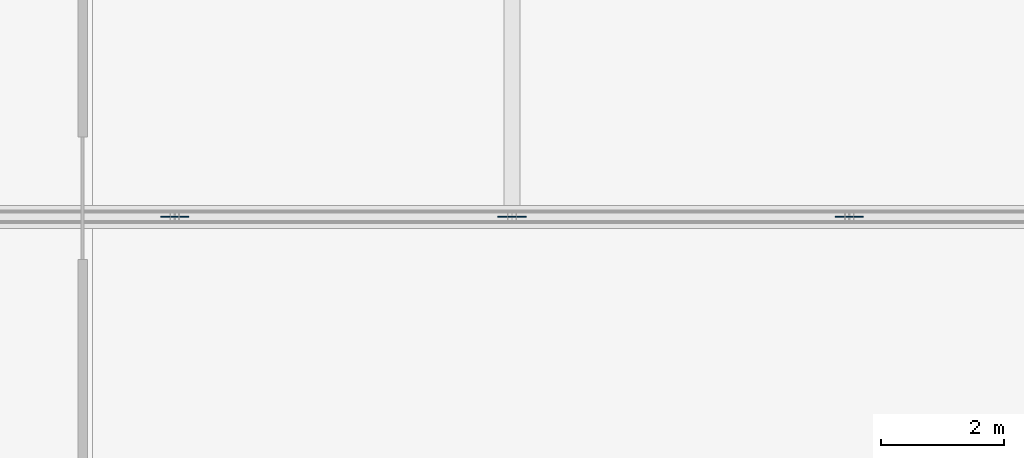
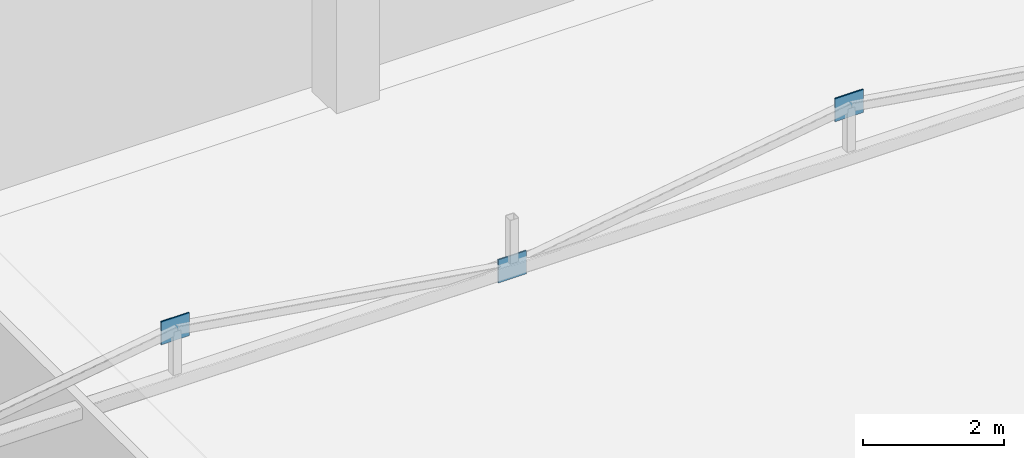
# One storey, part 42 of 72: 3 plates.
"""IFC4 building model written with IfcOpenShell, lengths in metres."""

import ifcopenshell
import ifcopenshell.guid

model = None  # the IFC model being written
_history = None  # IfcOwnerHistory: only IFC2X3 demands one
_inside = {}  # id of a spatial element -> (the spatial element, [elements in it])
_under = {}  # id of a project, library or spatial element -> (it, [spatial elements below it])
_declared = {}  # id of a project -> (the project, [libraries it declares])
_typed = {}  # id of a type object -> (the type object, [elements of that type])
_made_of = {}  # id of a material, layer set ... -> (it, [elements and type objects made of it])


def new_model(schema):
    """Start an empty IFC model of exactly this schema.

    Asked for "IFC4X3", IfcOpenShell would pick the latest addendum, in which some entities
    have other attributes; the version numbers below select the first issue.
    IFC2X3 requires an IfcOwnerHistory on every rooted entity: one is made here for all.
    """
    global model, _history
    if schema == "IFC4X3":
        model = ifcopenshell.file(schema_version=(4, 3, 0, 0))
    else:
        model = ifcopenshell.file(schema=schema)
    _inside.clear()
    _under.clear()
    _declared.clear()
    _typed.clear()
    _made_of.clear()
    _history = None
    if model.schema == "IFC2X3":
        org = make("IfcOrganization", Name="unknown")
        user = make(
            "IfcPersonAndOrganization",
            ThePerson=make("IfcPerson", FamilyName="unknown"),
            TheOrganization=org,
        )
        app = make(
            "IfcApplication",
            ApplicationDeveloper=org,
            Version="unknown",
            ApplicationFullName="unknown",
            ApplicationIdentifier="unknown",
        )
        _history = make(
            "IfcOwnerHistory",
            OwningUser=user,
            OwningApplication=app,
            ChangeAction="ADDED",
            CreationDate=0,
        )
    return model


def make(cls, **values):
    """One entity of the class cls with the attributes given. An attribute that is None is left unset."""
    return model.create_entity(
        cls, **{name: value for name, value in values.items() if value is not None}
    )


def rooted(cls, **values):
    """An entity with a GlobalId (a new one), such as an element, a storey or a relation."""
    return make(cls, GlobalId=ifcopenshell.guid.new(), OwnerHistory=_history, **values)


def si_unit(unit_type, name, prefix=None):
    """IfcSIUnit, for example si_unit("LENGTHUNIT", "METRE", prefix="MILLI")."""
    return make("IfcSIUnit", UnitType=unit_type, Prefix=prefix, Name=name)


def assignment(units):
    """IfcUnitAssignment: the units of a project."""
    return None if units is None else make("IfcUnitAssignment", Units=units)


def point(xyz):
    """IfcCartesianPoint."""
    return None if xyz is None else make("IfcCartesianPoint", Coordinates=xyz)


def direction(xyz):
    """IfcDirection."""
    return None if xyz is None else make("IfcDirection", DirectionRatios=xyz)


def frame(location, z_axis=None, x_axis=None):
    """IfcAxis2Placement3D, a coordinate frame: its origin and axes. An axis left out is left unset."""
    return make(
        "IfcAxis2Placement3D",
        Location=point(location),
        Axis=direction(z_axis),
        RefDirection=direction(x_axis),
    )


def frame_2d(location, x_axis=None):
    """IfcAxis2Placement2D, a coordinate frame in the plane: its origin and x axis."""
    return make(
        "IfcAxis2Placement2D", Location=point(location), RefDirection=direction(x_axis)
    )


def origin():
    """The frame at (0, 0, 0) with its axes left unset."""
    return frame((0.0, 0.0, 0.0))


def origin_2d():
    """The frame at (0, 0) in the plane with its x axis left unset."""
    return frame_2d((0.0, 0.0))


def place(relative_to, where):
    """IfcLocalPlacement: puts the frame where relative to a parent placement (None: the world)."""
    return make(
        "IfcLocalPlacement", PlacementRelTo=relative_to, RelativePlacement=where
    )


def context(
    kind, dimensions, precision=None, world=None, true_north=None, identifier=None
):
    """IfcGeometricRepresentationContext, for example the 3D "Model" context."""
    return make(
        "IfcGeometricRepresentationContext",
        ContextIdentifier=identifier,
        ContextType=kind,
        CoordinateSpaceDimension=dimensions,
        Precision=precision,
        WorldCoordinateSystem=world,
        TrueNorth=true_north,
    )


def subcontext(parent, identifier, kind, view, scale=None):
    """IfcGeometricRepresentationSubContext, for example "Body" below "Model"."""
    return make(
        "IfcGeometricRepresentationSubContext",
        ContextIdentifier=identifier,
        ContextType=kind,
        ParentContext=parent,
        TargetScale=scale,
        TargetView=view,
    )


def project(units=None, contexts=None):
    """IfcProject with its units and contexts."""
    return rooted(
        "IfcProject",
        Name="project",
        RepresentationContexts=contexts,
        UnitsInContext=assignment(units),
    )


def spatial(cls, under=None, at=None, **own):
    """A site, building, storey or space (cls), placed at a placement, below another one or the project."""
    s = rooted(cls, ObjectPlacement=at, **own)
    if under is not None:
        _under.setdefault(under.id(), (under, []))[1].append(s)
    return s


def profile(cls, at=None, kind="AREA", **sizes):
    """A parametric profile (cls). Its sizes go by their IFC names, for example OverallWidth=200.0."""
    return make(cls, ProfileType=kind, Position=at, **sizes)


def rectangle(**sizes):
    """IfcRectangleProfileDef."""
    return profile("IfcRectangleProfileDef", **sizes)


def extrude(swept, where, along, depth):
    """IfcExtrudedAreaSolid: the profile swept, set in the frame where, extruded along a direction by depth."""
    return make(
        "IfcExtrudedAreaSolid",
        SweptArea=swept,
        Position=where,
        ExtrudedDirection=direction(along),
        Depth=depth,
    )


def shape(context_of_items, identifier, shape_type, items):
    """IfcShapeRepresentation: the items that make up one representation, for example the "Body"."""
    return make(
        "IfcShapeRepresentation",
        ContextOfItems=context_of_items,
        RepresentationIdentifier=identifier,
        RepresentationType=shape_type,
        Items=items,
    )


def material(Name=None, Category=None):
    """IfcMaterial."""
    return make("IfcMaterial", Name=Name, Category=Category)


def layer(
    of_material, thickness, ventilated=None, Name=None, Category=None, Priority=None
):
    """IfcMaterialLayer: one layer of a wall or slab, of a material (None: an air gap)."""
    return make(
        "IfcMaterialLayer",
        Material=of_material,
        LayerThickness=thickness,
        IsVentilated=ventilated,
        Name=Name,
        Category=Category,
        Priority=Priority,
    )


def layer_set(layers, Name=None):
    """IfcMaterialLayerSet."""
    return make("IfcMaterialLayerSet", MaterialLayers=layers, LayerSetName=Name)


def made_of(thing, what):
    """Note that an element or type object is made of a material, layer set ...; save() writes the relation."""
    if what is not None:
        _made_of.setdefault(what.id(), (what, []))[1].append(thing)
    return thing


def type_object(cls, material=None, **own):
    """A type object (cls), such as IfcWallType, which elements share."""
    return made_of(rooted(cls, **own), material)


def element(
    cls,
    number,
    at=None,
    inside=None,
    cuts=None,
    type_object=None,
    material=None,
    context=None,
    identifier="Body",
    shape_type=None,
    held_by="IfcProductDefinitionShape",
    body=None,
    shapes=None,
    **own,
):
    """One element of the class cls, such as IfcWall. Its Tag is "e" and its number.

    at: its placement. inside: the storey or other place that contains it. cuts: it is an
    opening in that element (IfcRelVoidsElement). A single representation is given by context,
    identifier, shape_type and body (its items); several are given by shapes. held_by: the class
    of the entity that holds the representations. save() writes the other relations.
    """
    e = rooted(cls, Tag="e%d" % number, ObjectPlacement=at, **own)
    if body is not None:
        shapes = [shape(context, identifier, shape_type, body)]
    if shapes is not None:
        e.Representation = make(held_by, Representations=shapes)
    if inside is not None:
        _inside.setdefault(inside.id(), (inside, []))[1].append(e)
    if cuts is not None:
        rooted(
            "IfcRelVoidsElement", RelatingBuildingElement=cuts, RelatedOpeningElement=e
        )
    if type_object is not None:
        _typed.setdefault(type_object.id(), (type_object, []))[1].append(e)
    return made_of(e, material)


def aggregate(whole, parts):
    """IfcRelAggregates: a whole, such as a stair, and the parts it consists of."""
    return rooted("IfcRelAggregates", RelatingObject=whole, RelatedObjects=parts)


def save(model, path):
    """Write the relations noted so far, then the file.

    IfcRelAggregates (storeys below a building ...), IfcRelContainedInSpatialStructure (elements
    in a storey), IfcRelDefinesByType, IfcRelAssociatesMaterial and IfcRelDeclares: one each for
    every whole, place, type object, material and project.
    """
    for whole, parts in _under.values():
        aggregate(whole, parts)
    for where, things in _inside.values():
        rooted(
            "IfcRelContainedInSpatialStructure",
            RelatedElements=things,
            RelatingStructure=where,
        )
    for kind, things in _typed.values():
        rooted("IfcRelDefinesByType", RelatedObjects=things, RelatingType=kind)
    for what, things in _made_of.values():
        rooted("IfcRelAssociatesMaterial", RelatedObjects=things, RelatingMaterial=what)
    for by, libraries in _declared.values():
        rooted("IfcRelDeclares", RelatingContext=by, RelatedDefinitions=libraries)
    model.write(path)


model = new_model("IFC4")

# Units and contexts
model_context = context("Model", 3, precision=1e-05, world=origin(), true_north=direction((0.0, 1.0)))
body_context = subcontext(model_context, "Body", "Model", "MODEL_VIEW")
ifc_project = project(units=[si_unit("LENGTHUNIT", "METRE"), si_unit("AREAUNIT", "SQUARE_METRE"), si_unit("VOLUMEUNIT", "CUBIC_METRE"), si_unit("PLANEANGLEUNIT", "RADIAN"), si_unit("MASSUNIT", "GRAM", prefix="KILO")], contexts=[model_context])

# Site, building, storey
site_placement = place(None, origin())
site = spatial("IfcSite", under=ifc_project, at=site_placement, CompositionType="ELEMENT")
building_placement = place(site_placement, origin())
building = spatial("IfcBuilding", under=site, at=building_placement, Name="Sillaruma Civic Art Gallery", CompositionType="ELEMENT")
storey_placement = place(building_placement, frame((0.0, 0.0, 10.8798828125)))
storey = spatial("IfcBuildingStorey", under=building, at=storey_placement, Name="L02", CompositionType="ELEMENT", Elevation=10.8798828125)

# Plates
ifc_material = material(Name="Structural Steel ASTM A992 Gr.50", Category="steel")
ifc_layer = layer(ifc_material, 0.02001953125, Name="Structural Steel ASTM A992 Gr.50")
ifc_layer_set = layer_set([ifc_layer], Name="Structural Steel ASTM A992 Gr.50")
plate_type = type_object("IfcPlateType", Name="PLT-GUS-20", PredefinedType="SHEET", material=ifc_layer_set)
for number, where, z_axis, x_axis, name in (
    (1, (75.5, 59.39990234375, 4.778076171875), (0.0, 0.0, 1.0), (1.0, 0.0, 0.0), "Truss Gusset Plate GP-01 (TR-L02-1-1)"),
    (2, (81.0, 59.39990234375, 3.920166015625), (0.0, 0.0, 1.0), (1.0, 0.0, 0.0), "Truss Gusset Plate GP-01 (TR-L02-1-2)"),
    (3, (86.5, 59.39990234375, 4.778076171875), (0.0, 0.0, 1.0), (1.0, 0.0, 0.0), "Truss Gusset Plate GP-01 (TR-L02-1-3)"),
):
    element("IfcPlate", number, at=place(storey_placement, frame(where, z_axis=z_axis, x_axis=x_axis)), inside=storey, type_object=plate_type, Name=name, PredefinedType="SHEET", context=body_context, shape_type="SweptSolid", body=[
        extrude(rectangle(XDim=0.4599609375, YDim=0.02001953125, at=origin_2d()), origin(), (0.0, 0.0, 1.0), 0.39990234375),
    ])

save(model, "model.ifc")
